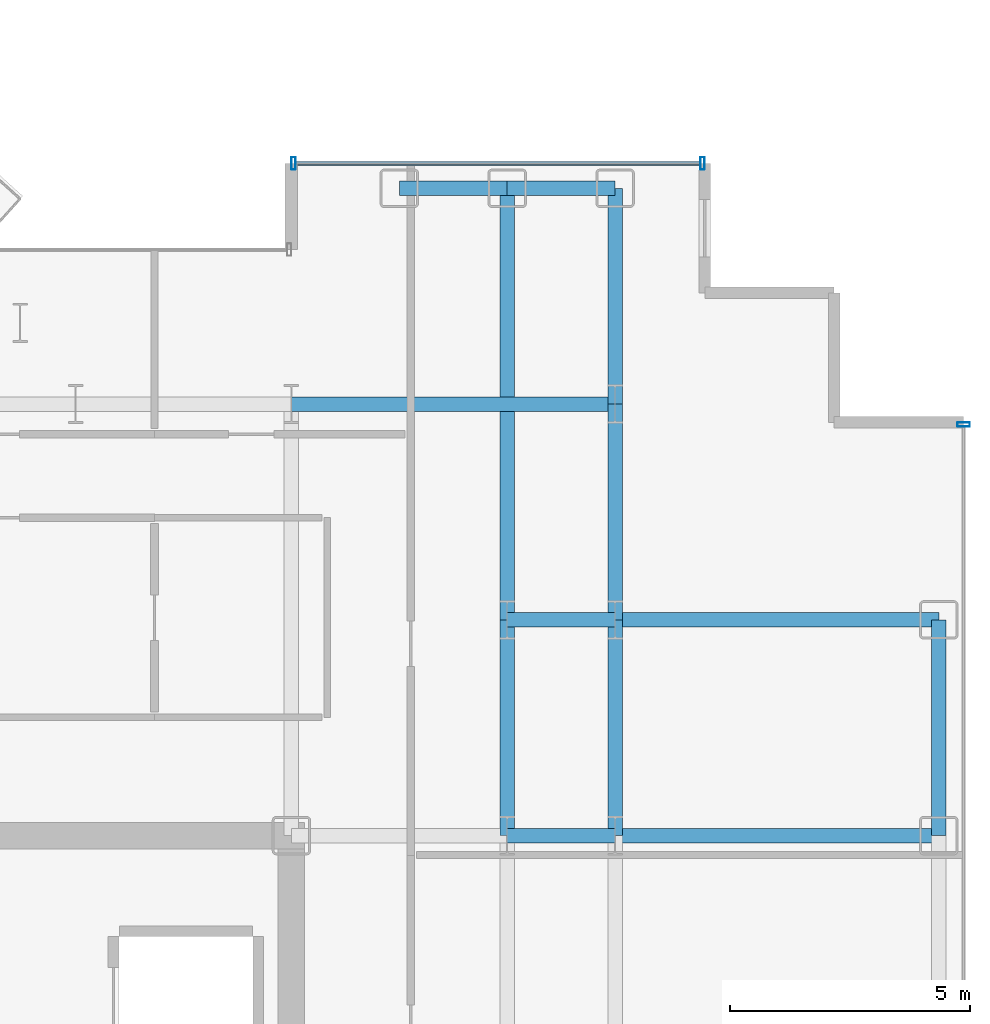
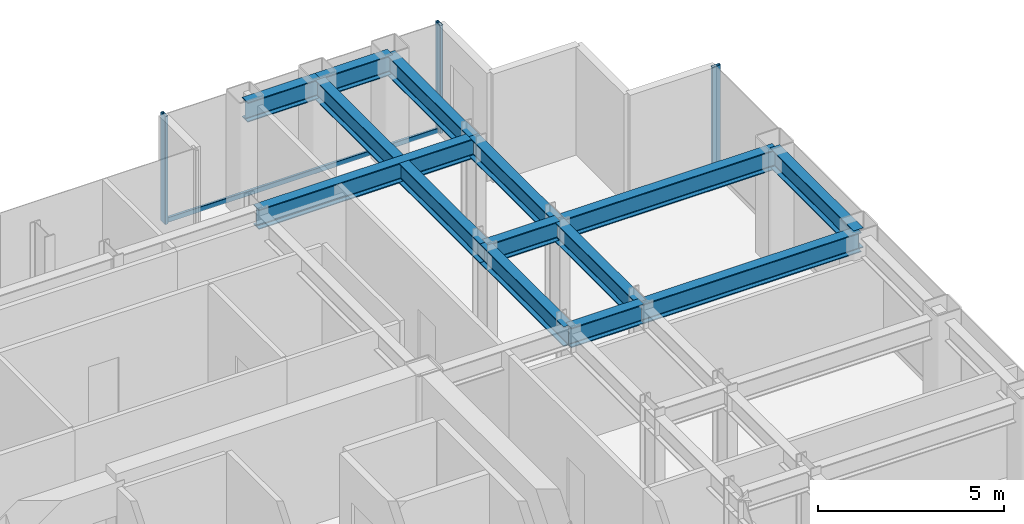
# One storey, part 13 of 22: 13 beams, 4 members, 2 elements without a shape of their own.
"""IFC4 building model written with IfcOpenShell, lengths in metres."""

from ifc_helpers import new_model, si_unit, direction, frame, origin, origin_2d, place, context, subcontext, project, spatial, hollow_rectangle, i_section, extrude, source, transform, mapped, material, layer, layer_set, material_profile, profile_set, type_object, element, aggregate, save


model = new_model("IFC4")

# Units and contexts
model_context = context("Model", 3, precision=1e-05, world=origin(), true_north=direction((0.0, 1.0)))
body_context = subcontext(model_context, "Body", "Model", "MODEL_VIEW")
ifc_project = project(units=[si_unit("LENGTHUNIT", "METRE"), si_unit("AREAUNIT", "SQUARE_METRE"), si_unit("VOLUMEUNIT", "CUBIC_METRE"), si_unit("PLANEANGLEUNIT", "RADIAN"), si_unit("MASSUNIT", "GRAM", prefix="KILO")], contexts=[model_context])

# Site, building, storey
site_placement = place(None, origin())
site = spatial("IfcSite", under=ifc_project, at=site_placement, CompositionType="ELEMENT")
building_placement = place(site_placement, origin())
building = spatial("IfcBuilding", under=site, at=building_placement, Name="Nefas-Gora Pilgrimage Tower", CompositionType="ELEMENT")
storey_placement = place(building_placement, frame((0.0, 0.0, 186.800048828125)))
storey = spatial("IfcBuildingStorey", under=building, at=storey_placement, Name="L46", CompositionType="ELEMENT", Elevation=186.800048828125)

# Beams
ifc_material_1 = material(Name="Steel S355", Category="steel")
ifc_material_profile_1 = material_profile(ifc_material_1, i_section(OverallWidth=0.300048828125, OverallDepth=0.64990234375, WebThickness=0.01611328125, FlangeThickness=0.031005859375, FilletRadius=0.027099609375, at=origin_2d()), Name="HEB 650")
ifc_profile_set_1 = profile_set([ifc_material_profile_1], Name="Steel S355")
beam_type_1 = type_object("IfcBeamType", Name="BM-SPN-HEB500", PredefinedType="SPANDREL", material=ifc_profile_set_1)
shared_shape_1 = source(origin(), body_context, "Body", "SweptSolid", [
    extrude(i_section(OverallWidth=0.300048828125, OverallDepth=0.64990234375, WebThickness=0.01611328125, FlangeThickness=0.031005859375, FilletRadius=0.027099609375, at=origin_2d()), origin(), (0.0, 0.0, 1.0), 4.5),
])
beam_1_placement = place(storey_placement, frame((24.75, 9.0, 3.224853515625), z_axis=(0.0, 1.0, 0.0), x_axis=(-1.0, 0.0, 0.0)))
element("IfcBeam", 1, at=beam_1_placement, inside=storey, type_object=beam_type_1, Name="L46 SP-02 beam", PredefinedType="SPANDREL", context=body_context, shape_type="MappedRepresentation", body=[
    mapped(shared_shape_1, transform((0.0, 0.0, 0.0), x_axis=(1.0, 0.0, 0.0), y_axis=(0.0, 1.0, 0.0), z_axis=(0.0, 0.0, 1.0), scale=1.0)),
])
ifc_material_profile_2 = material_profile(ifc_material_1, i_section(OverallWidth=0.300048828125, OverallDepth=0.64990234375, WebThickness=0.01611328125, FlangeThickness=0.031005859375, FilletRadius=0.027099609375, at=origin_2d()), Name="HEB 650")
ifc_profile_set_2 = profile_set([ifc_material_profile_2], Name="Steel S355")
beam_type_2 = type_object("IfcBeamType", Name="BM-GIR-HEB650", PredefinedType="BEAM", material=ifc_profile_set_2)
shared_shape_2 = source(origin(), body_context, "Body", "SweptSolid", [
    extrude(i_section(OverallWidth=0.300048828125, OverallDepth=0.64990234375, WebThickness=0.01611328125, FlangeThickness=0.031005859375, FilletRadius=0.027099609375, at=origin_2d()), origin(), (0.0, 0.0, 1.0), 9.0),
])
beam_2_placement = place(storey_placement, frame((15.75, 13.5, 3.224853515625), z_axis=(0.0, 1.0, 0.0), x_axis=(-1.0, 0.0, 0.0)))
element("IfcBeam", 2, at=beam_2_placement, inside=storey, type_object=beam_type_2, Name="L46 G-03 beam", PredefinedType="BEAM", context=body_context, shape_type="MappedRepresentation", body=[
    mapped(shared_shape_2, transform((0.0, 0.0, 0.0), x_axis=(1.0, 0.0, 0.0), y_axis=(0.0, 1.0, 0.0), z_axis=(0.0, 0.0, 1.0), scale=1.0)),
])
shared_shape_3 = source(origin(), body_context, "Body", "SweptSolid", [
    extrude(i_section(OverallWidth=0.300048828125, OverallDepth=0.64990234375, WebThickness=0.01611328125, FlangeThickness=0.031005859375, FilletRadius=0.027099609375, at=origin_2d()), origin(), (0.0, 0.0, 1.0), 4.5),
])
for number, where, z_axis, x_axis, name in (
    (3, (15.75, 9.0, 3.224853515625), (0.0, 1.0, 0.0), (-1.0, 0.0, 0.0), "L46 G-03 beam"),
    (4, (18.0, 9.0, 3.224853515625), (0.0, 1.0, 0.0), (-1.0, 0.0, 0.0), "L46 G-03 beam"),
    (5, (18.0, 13.5, 3.224853515625), (0.0, 1.0, 0.0), (-1.0, 0.0, 0.0), "L46 G-03 beam"),
    (6, (18.0, 18.0, 3.224853515625), (0.0, 1.0, 0.0), (-1.0, 0.0, 0.0), "L46 G-03 beam"),
):
    element("IfcBeam", number, at=place(storey_placement, frame(where, z_axis=z_axis, x_axis=x_axis)), inside=storey, type_object=beam_type_2, Name=name, PredefinedType="BEAM", context=body_context, shape_type="MappedRepresentation", body=[
        mapped(shared_shape_3, transform((0.0, 0.0, 0.0), x_axis=(1.0, 0.0, 0.0), y_axis=(0.0, 1.0, 0.0), z_axis=(0.0, 0.0, 1.0), scale=1.0)),
    ])
shared_shape_4 = source(origin(), body_context, "Body", "SweptSolid", [
    extrude(i_section(OverallWidth=0.300048828125, OverallDepth=0.64990234375, WebThickness=0.01611328125, FlangeThickness=0.031005859375, FilletRadius=0.027099609375, at=origin_2d()), origin(), (0.0, 0.0, 1.0), 6.75),
])
for number, where, z_axis, x_axis, name in (
    (7, (11.25, 18.0, 3.224853515625), (1.0, 0.0, 0.0), (0.0, 1.0, 0.0), "L46 G-03 beam"),
    (8, (18.0, 9.0, 3.224853515625), (1.0, 0.0, 0.0), (0.0, 1.0, 0.0), "L46 G-03 beam"),
    (9, (18.0, 13.5, 3.224853515625), (1.0, 0.0, 0.0), (0.0, 1.0, 0.0), "L46 G-03 beam"),
):
    element("IfcBeam", number, at=place(storey_placement, frame(where, z_axis=z_axis, x_axis=x_axis)), inside=storey, type_object=beam_type_2, Name=name, PredefinedType="BEAM", context=body_context, shape_type="MappedRepresentation", body=[
        mapped(shared_shape_4, transform((0.0, 0.0, 0.0), x_axis=(1.0, 0.0, 0.0), y_axis=(0.0, 1.0, 0.0), z_axis=(0.0, 0.0, 1.0), scale=1.0)),
    ])
shared_shape_5 = source(origin(), body_context, "Body", "SweptSolid", [
    extrude(i_section(OverallWidth=0.300048828125, OverallDepth=0.64990234375, WebThickness=0.01611328125, FlangeThickness=0.031005859375, FilletRadius=0.027099609375, at=origin_2d()), origin(), (0.0, 0.0, 1.0), 2.25),
])
for number, where, z_axis, x_axis, name in (
    (10, (13.5, 22.5, 3.224853515625), (1.0, 0.0, 0.0), (0.0, 1.0, 0.0), "L46 SP-02 beam"),
    (11, (15.75, 22.5, 3.224853515625), (1.0, 0.0, 0.0), (0.0, 1.0, 0.0), "L46 SP-02 beam"),
):
    element("IfcBeam", number, at=place(storey_placement, frame(where, z_axis=z_axis, x_axis=x_axis)), inside=storey, type_object=beam_type_1, Name=name, PredefinedType="SPANDREL", context=body_context, shape_type="MappedRepresentation", body=[
        mapped(shared_shape_5, transform((0.0, 0.0, 0.0), x_axis=(1.0, 0.0, 0.0), y_axis=(0.0, 1.0, 0.0), z_axis=(0.0, 0.0, 1.0), scale=1.0)),
    ])
shared_shape_6 = source(origin(), body_context, "Body", "SweptSolid", [
    extrude(i_section(OverallWidth=0.300048828125, OverallDepth=0.64990234375, WebThickness=0.01611328125, FlangeThickness=0.031005859375, FilletRadius=0.027099609375, at=origin_2d()), origin(), (0.0, 0.0, 1.0), 2.25),
])
for number, where, z_axis, x_axis, name in (
    (12, (15.75, 9.0, 3.224853515625), (1.0, 0.0, 0.0), (0.0, 1.0, 0.0), "L46 G-03 beam"),
    (13, (15.75, 13.5, 3.224853515625), (1.0, 0.0, 0.0), (0.0, 1.0, 0.0), "L46 G-03 beam"),
):
    element("IfcBeam", number, at=place(storey_placement, frame(where, z_axis=z_axis, x_axis=x_axis)), inside=storey, type_object=beam_type_2, Name=name, PredefinedType="BEAM", context=body_context, shape_type="MappedRepresentation", body=[
        mapped(shared_shape_6, transform((0.0, 0.0, 0.0), x_axis=(1.0, 0.0, 0.0), y_axis=(0.0, 1.0, 0.0), z_axis=(0.0, 0.0, 1.0), scale=1.0)),
    ])

# Curtain wall, member
ifc_material_2 = material(Name="Dark ceramic-fritted solar-control aluminium-glass curtain wall", Category="aluminium")
ifc_layer = layer(ifc_material_2, 0.219970703125)
ifc_layer_set = layer_set([ifc_layer], Name="Dark ceramic-fritted solar-control aluminium-glass curtain wall")
curtain_wall_type = type_object("IfcCurtainWallType", Name="CW-SYS-3", PredefinedType="NOTDEFINED", material=ifc_layer_set)
curtain_wall_1_placement = place(storey_placement, origin())
curtain_wall_1 = element("IfcCurtainWall", 14, at=curtain_wall_1_placement, inside=storey, type_object=curtain_wall_type, Name="L46 Unitised Curtain Wall CW3", PredefinedType="NOTDEFINED")
ifc_material_3 = material(Name="Anodised architectural aluminium", Category="aluminium")
ifc_material_profile_3 = material_profile(ifc_material_3, hollow_rectangle(XDim=0.090087890625, YDim=0.260009765625, WallThickness=0.006103515625, InnerFilletRadius=0.006103515625, OuterFilletRadius=0.011962890625, at=origin_2d()), Name="ALU MULLION 90x260")
ifc_profile_set_3 = profile_set([ifc_material_profile_3], Name="Anodised architectural aluminium")
member_type_1 = type_object("IfcMemberType", Name="CWM-MUL-3", PredefinedType="MULLION", material=ifc_profile_set_3)
shared_shape_7 = source(origin(), body_context, "Body", "SweptSolid", [
    extrude(hollow_rectangle(XDim=0.090087890625, YDim=0.260009765625, WallThickness=0.006103515625, InnerFilletRadius=0.006103515625, OuterFilletRadius=0.011962890625, at=origin_2d()), origin(), (0.0, 0.0, 1.0), 3.550048828125),
])
member_1_placement = place(storey_placement, frame((25.27001953125, 17.574951171875, 0.0), z_axis=(0.0, 0.0, 1.0), x_axis=(0.0, 1.0, 0.0)))
member_1 = element("IfcMember", 15, at=member_1_placement, type_object=member_type_1, Name="CW3 Mullion 2", PredefinedType="MULLION", context=body_context, shape_type="MappedRepresentation", body=[
    mapped(shared_shape_7, transform((0.0, 0.0, 0.0), x_axis=(1.0, 0.0, 0.0), y_axis=(0.0, 1.0, 0.0), z_axis=(0.0, 0.0, 1.0), scale=1.0)),
])
aggregate(curtain_wall_1, [member_1])

# Curtain wall, members
curtain_wall_2_placement = place(storey_placement, origin())
curtain_wall_2 = element("IfcCurtainWall", 16, at=curtain_wall_2_placement, inside=storey, type_object=curtain_wall_type, Name="L46 Unitised Curtain Wall CW3", PredefinedType="NOTDEFINED")
member_2_placement = place(storey_placement, frame((19.824951171875, 23.02001953125, 0.0), z_axis=(0.0, 0.0, 1.0), x_axis=(-1.0, 0.0, 0.0)))
member_2 = element("IfcMember", 17, at=member_2_placement, type_object=member_type_1, Name="CW3 Mullion 1", PredefinedType="MULLION", context=body_context, shape_type="MappedRepresentation", body=[
    mapped(shared_shape_7, transform((0.0, 0.0, 0.0), x_axis=(1.0, 0.0, 0.0), y_axis=(0.0, 1.0, 0.0), z_axis=(0.0, 0.0, 1.0), scale=1.0)),
])
member_3_placement = place(storey_placement, frame((11.294921875, 23.02001953125, 0.0), z_axis=(0.0, 0.0, 1.0), x_axis=(-1.0, 0.0, 0.0)))
member_3 = element("IfcMember", 18, at=member_3_placement, type_object=member_type_1, Name="CW3 Mullion 2", PredefinedType="MULLION", context=body_context, shape_type="MappedRepresentation", body=[
    mapped(shared_shape_7, transform((0.0, 0.0, 0.0), x_axis=(1.0, 0.0, 0.0), y_axis=(0.0, 1.0, 0.0), z_axis=(0.0, 0.0, 1.0), scale=1.0)),
])
ifc_material_profile_4 = material_profile(ifc_material_3, hollow_rectangle(XDim=0.080078125, YDim=0.159912109375, WallThickness=0.00439453125, InnerFilletRadius=0.00439453125, OuterFilletRadius=0.009033203125, at=origin_2d()), Name="ALU TRANSOM 80x160")
ifc_profile_set_4 = profile_set([ifc_material_profile_4], Name="Anodised architectural aluminium")
member_type_2 = type_object("IfcMemberType", Name="CWM-TRN-3", PredefinedType="USERDEFINED", material=ifc_profile_set_4)
shared_shape_8 = source(origin(), body_context, "Body", "SweptSolid", [
    extrude(hollow_rectangle(XDim=0.080078125, YDim=0.159912109375, WallThickness=0.00439453125, InnerFilletRadius=0.00439453125, OuterFilletRadius=0.009033203125, at=origin_2d()), origin(), (0.0, 0.0, 1.0), 8.43994140625),
])
member_4_placement = place(storey_placement, frame((19.780029296875, 23.02001953125, 0.050048828125), z_axis=(-1.0, 0.0, 0.0), x_axis=(0.0, -1.0, 0.0)))
member_4 = element("IfcMember", 19, at=member_4_placement, type_object=member_type_2, Name="CW3 Spandrel Transom", ObjectType="TRANSOM", PredefinedType="USERDEFINED", context=body_context, shape_type="MappedRepresentation", body=[
    mapped(shared_shape_8, transform((0.0, 0.0, 0.0), x_axis=(1.0, 0.0, 0.0), y_axis=(0.0, 1.0, 0.0), z_axis=(0.0, 0.0, 1.0), scale=1.0)),
])
aggregate(curtain_wall_2, [member_2, member_3, member_4])

save(model, "model.ifc")
